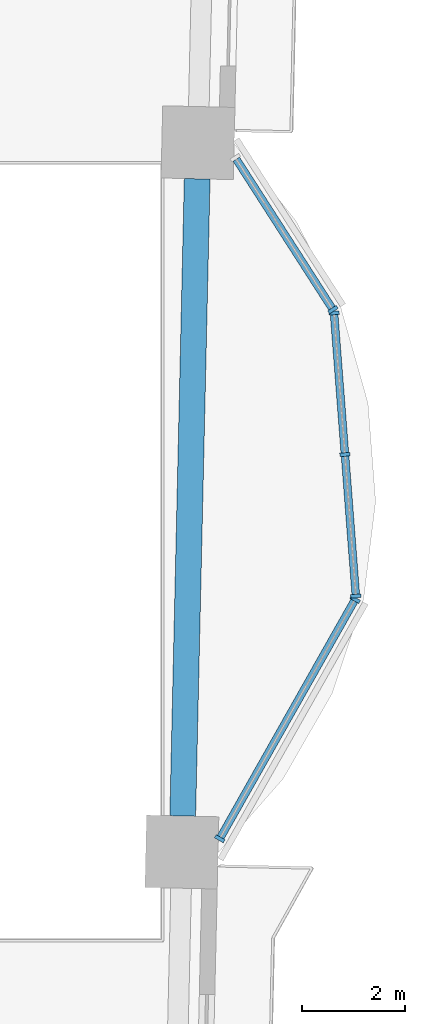
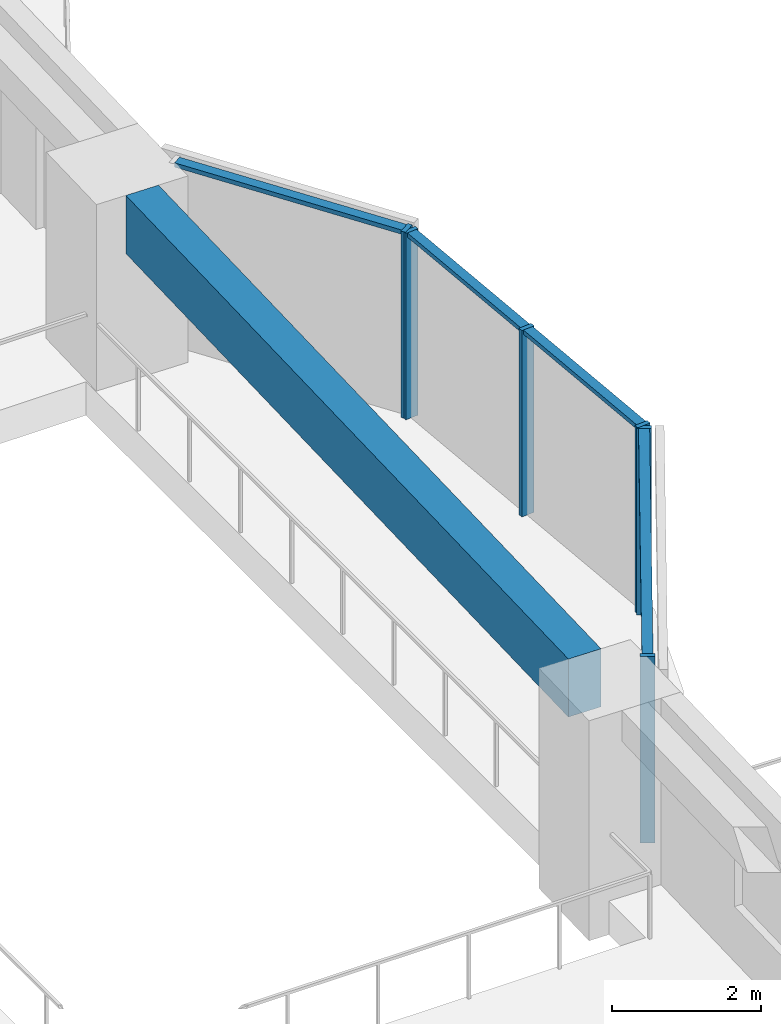
# One storey, part 2 of 16: 10 members, 1 beam, 3 elements without a shape of their own.
"""IFC4 building model written with IfcOpenShell, lengths in metres."""

from ifc_helpers import new_model, si_unit, direction, frame, origin, origin_2d, place, context, subcontext, project, spatial, rectangle, extrude, material, material_profile, profile_set, type_object, element, aggregate, save


model = new_model("IFC4")

# Units and contexts
model_context = context("Model", 3, precision=1e-05, world=origin(), true_north=direction((0.0, 1.0)))
body_context = subcontext(model_context, "Body", "Model", "MODEL_VIEW")
ifc_project = project(units=[si_unit("LENGTHUNIT", "METRE"), si_unit("AREAUNIT", "SQUARE_METRE"), si_unit("VOLUMEUNIT", "CUBIC_METRE"), si_unit("PLANEANGLEUNIT", "RADIAN"), si_unit("MASSUNIT", "GRAM", prefix="KILO")], contexts=[model_context])

# Site, building, storey
site_placement = place(None, origin())
site = spatial("IfcSite", under=ifc_project, at=site_placement, CompositionType="ELEMENT")
building_placement = place(site_placement, origin())
building = spatial("IfcBuilding", under=site, at=building_placement, Name="Mangrove Gate Tower", CompositionType="ELEMENT")
storey_placement = place(building_placement, frame((0.0, 0.0, 101.89990234375)))
storey = spatial("IfcBuildingStorey", under=building, at=storey_placement, Name="L25", CompositionType="ELEMENT", Elevation=101.89990234375)

# Curtain wall, members
ifc_material_1 = material(Name="Aluminium and glass curtain wall", Category="aluminium")
curtain_wall_type = type_object("IfcCurtainWallType", Name="Atrium garden-court glazing wall", PredefinedType="NOTDEFINED", material=ifc_material_1)
curtain_wall_1_placement = place(storey_placement, origin())
curtain_wall_1 = element("IfcCurtainWall", 1, at=curtain_wall_1_placement, inside=storey, type_object=curtain_wall_type, Name="Atrium garden-court glazing E1f1", PredefinedType="NOTDEFINED")
ifc_material_2 = material(Name="Aluminium alloy 6063-T6", Category="aluminium")
ifc_material_profile_1 = material_profile(ifc_material_2, rectangle(XDim=0.070068359375, YDim=0.199951171875, at=origin_2d()))
ifc_profile_set_1 = profile_set([ifc_material_profile_1], Name="Aluminium alloy 6063-T6")
member_type_1 = type_object("IfcMemberType", Name="Atrium garden-court glazing mullion 70x200", PredefinedType="MULLION", material=ifc_profile_set_1)
member_1_placement = place(storey_placement, frame((25.373779296875, -5.563232421875, 0.0), z_axis=(0.0, 0.0, 1.0), x_axis=(0.492584614745, 0.870264555935, 0.0)))
member_1 = element("IfcMember", 2, at=member_1_placement, type_object=member_type_1, Name="CWA mullion 1", PredefinedType="MULLION", context=body_context, shape_type="SweptSolid", body=[
    extrude(rectangle(XDim=0.070068359375, YDim=0.199951171875, at=origin_2d()), origin(), (0.0, 0.0, 1.0), 3.050048828125),
])
member_2_placement = place(storey_placement, frame((27.998291015625, -0.92626953125, 0.0), z_axis=(0.0, 0.0, 1.0), x_axis=(0.492584614745, 0.870264555935, 0.0)))
member_2 = element("IfcMember", 3, at=member_2_placement, type_object=member_type_1, Name="CWA mullion 2", PredefinedType="MULLION", context=body_context, shape_type="SweptSolid", body=[
    extrude(rectangle(XDim=0.070068359375, YDim=0.199951171875, at=origin_2d()), origin(), (0.0, 0.0, 1.0), 3.050048828125),
])

curtain_wall_2_placement = place(storey_placement, origin())
curtain_wall_2 = element("IfcCurtainWall", 4, at=curtain_wall_2_placement, inside=storey, type_object=curtain_wall_type, Name="Atrium garden-court glazing E1f2", PredefinedType="NOTDEFINED")
member_3_placement = place(storey_placement, frame((28.012939453125, -0.861083984375, 0.0), z_axis=(0.0, 0.0, 1.0), x_axis=(-0.077023348229, 0.997029289353, 0.0)))
member_3 = element("IfcMember", 5, at=member_3_placement, type_object=member_type_1, Name="CWA mullion 1", PredefinedType="MULLION", context=body_context, shape_type="SweptSolid", body=[
    extrude(rectangle(XDim=0.070068359375, YDim=0.199951171875, at=origin_2d()), origin(), (0.0, 0.0, 1.0), 3.050048828125),
])
member_4_placement = place(storey_placement, frame((27.801025390625, 1.882568359375, 0.0), z_axis=(0.0, 0.0, 1.0), x_axis=(-0.077023348229, 0.997029289353, 0.0)))
member_4 = element("IfcMember", 6, at=member_4_placement, type_object=member_type_1, Name="CWA mullion 2", PredefinedType="MULLION", context=body_context, shape_type="SweptSolid", body=[
    extrude(rectangle(XDim=0.070068359375, YDim=0.199951171875, at=origin_2d()), origin(), (0.0, 0.0, 1.0), 3.050048828125),
])
member_5_placement = place(storey_placement, frame((27.5888671875, 4.6259765625, 0.0), z_axis=(0.0, 0.0, 1.0), x_axis=(-0.077023348229, 0.997029289353, 0.0)))
member_5 = element("IfcMember", 7, at=member_5_placement, type_object=member_type_1, Name="CWA mullion 3", PredefinedType="MULLION", context=body_context, shape_type="SweptSolid", body=[
    extrude(rectangle(XDim=0.070068359375, YDim=0.199951171875, at=origin_2d()), origin(), (0.0, 0.0, 1.0), 3.050048828125),
])

# Curtain wall, member
curtain_wall_3_placement = place(storey_placement, origin())
curtain_wall_3 = element("IfcCurtainWall", 8, at=curtain_wall_3_placement, inside=storey, type_object=curtain_wall_type, Name="Atrium garden-court glazing E1f3", PredefinedType="NOTDEFINED")
member_6_placement = place(storey_placement, frame((27.5673828125, 4.6904296875, 0.0), z_axis=(0.0, 0.0, 1.0), x_axis=(-0.540510523896, 0.841337253162, 0.0)))
member_6 = element("IfcMember", 9, at=member_6_placement, type_object=member_type_1, Name="CWA mullion 1", PredefinedType="MULLION", context=body_context, shape_type="SweptSolid", body=[
    extrude(rectangle(XDim=0.070068359375, YDim=0.199951171875, at=origin_2d()), origin(), (0.0, 0.0, 1.0), 3.050048828125),
])

# Member
ifc_material_3 = material(Name="Aluminium alloy 6063-T6", Category="aluminium")
ifc_material_profile_2 = material_profile(ifc_material_3, rectangle(XDim=0.070068359375, YDim=0.14990234375, at=origin_2d()))
ifc_profile_set_2 = profile_set([ifc_material_profile_2], Name="Aluminium alloy 6063-T6")
member_type_2 = type_object("IfcMemberType", Name="Atrium garden-court glazing transom 70x150", PredefinedType="USERDEFINED", material=ifc_profile_set_2)
member_7_placement = place(storey_placement, frame((25.39111328125, -5.53271484375, 3.01513671875), z_axis=(0.492554428347, 0.870281641261, 0.0), x_axis=(0.0, 0.0, 1.0)))
member_7 = element("IfcMember", 10, at=member_7_placement, type_object=member_type_2, Name="CWA transom 1.2", ObjectType="TRANSOM", PredefinedType="USERDEFINED", context=body_context, shape_type="SweptSolid", body=[
    extrude(rectangle(XDim=0.070068359375, YDim=0.14990234375, at=origin_2d()), origin(), (0.0, 0.0, 1.0), 5.258056640625),
])

aggregate(curtain_wall_1, [member_1, member_2, member_7])

member_8_placement = place(storey_placement, frame((28.01025390625, -0.826171875, 3.01513671875), z_axis=(-0.07701672858, 0.997029800718, 0.0), x_axis=(0.0, 0.0, 1.0)))
member_8 = element("IfcMember", 11, at=member_8_placement, type_object=member_type_2, Name="CWA transom 1.2", ObjectType="TRANSOM", PredefinedType="USERDEFINED", context=body_context, shape_type="SweptSolid", body=[
    extrude(rectangle(XDim=0.070068359375, YDim=0.14990234375, at=origin_2d()), origin(), (0.0, 0.0, 1.0), 2.681884765625),
])

member_9_placement = place(storey_placement, frame((27.798095703125, 1.91748046875, 3.01513671875), z_axis=(-0.07701672858, 0.997029800718, 0.0), x_axis=(0.0, 0.0, 1.0)))
member_9 = element("IfcMember", 12, at=member_9_placement, type_object=member_type_2, Name="CWA transom 2.2", ObjectType="TRANSOM", PredefinedType="USERDEFINED", context=body_context, shape_type="SweptSolid", body=[
    extrude(rectangle(XDim=0.070068359375, YDim=0.14990234375, at=origin_2d()), origin(), (0.0, 0.0, 1.0), 2.681884765625),
])

aggregate(curtain_wall_2, [member_3, member_4, member_5, member_8, member_9])

member_10_placement = place(storey_placement, frame((27.54833984375, 4.719970703125, 3.01513671875), z_axis=(-0.540487632005, 0.841351959438, 0.0), x_axis=(0.0, 0.0, 1.0)))
member_10 = element("IfcMember", 13, at=member_10_placement, type_object=member_type_2, Name="CWA transom 1.2", ObjectType="TRANSOM", PredefinedType="USERDEFINED", context=body_context, shape_type="SweptSolid", body=[
    extrude(rectangle(XDim=0.070068359375, YDim=0.14990234375, at=origin_2d()), origin(), (0.0, 0.0, 1.0), 3.428466796875),
])

aggregate(curtain_wall_3, [member_6, member_10])

# Beam
ifc_material_4 = material(Name="Concrete C50/60", Category="concrete")
ifc_material_profile_3 = material_profile(ifc_material_4, rectangle(XDim=0.5, YDim=0.949951171875, at=origin_2d()))
ifc_profile_set_3 = profile_set([ifc_material_profile_3], Name="Concrete C50/60")
beam_type = type_object("IfcBeamType", Name="Edge beam RC 500x950 C50/60", PredefinedType="BEAM", material=ifc_profile_set_3)
beam_placement = place(storey_placement, frame((24.656982421875, -5.122314453125, 2.5751953125), z_axis=(0.022693116457, 0.999742478074, 0.0), x_axis=(-0.999742478074, 0.022693116457, 0.0)))
element("IfcBeam", 14, at=beam_placement, inside=storey, type_object=beam_type, Name="Edge beam L25 15", PredefinedType="BEAM", context=body_context, shape_type="SweptSolid", body=[
    extrude(rectangle(XDim=0.5, YDim=0.949951171875, at=origin_2d()), origin(), (0.0, 0.0, 1.0), 12.3505859375),
])

save(model, "model.ifc")
